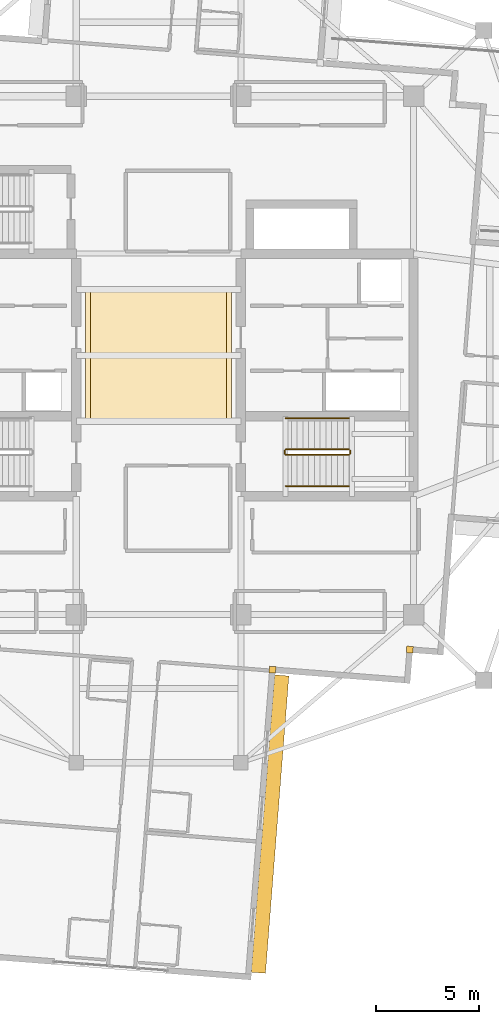
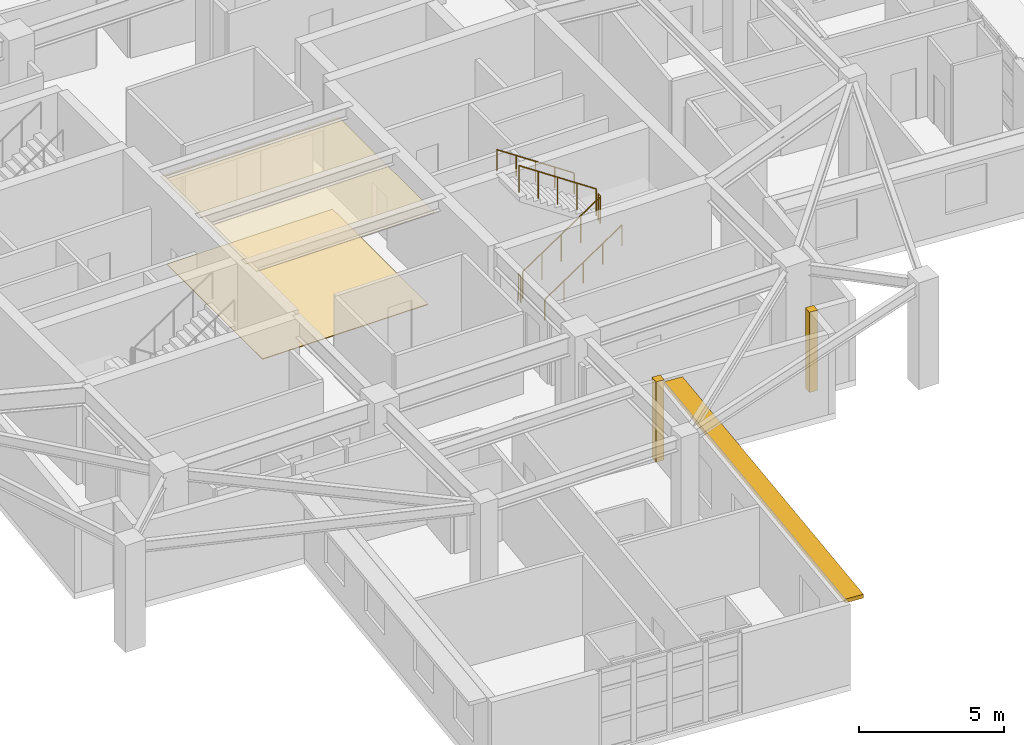
# One storey, part 20 of 23: 6 railings, 4 coverings, 1 shading device.
"""IFC4 building model written with IfcOpenShell, lengths in metres."""

from ifc_helpers import new_model, si_unit, direction, frame, origin, origin_with_axes, origin_2d, place, context, subcontext, project, spatial, rectangle, circle, extrude, material, layer, layer_set, type_object, element, save


model = new_model("IFC4")

# Units and contexts
model_context = context("Model", 3, precision=1e-05, world=origin(), true_north=direction((0.0, 1.0)))
body_context = subcontext(model_context, "Body", "Model", "MODEL_VIEW")
ifc_project = project(units=[si_unit("LENGTHUNIT", "METRE"), si_unit("AREAUNIT", "SQUARE_METRE"), si_unit("VOLUMEUNIT", "CUBIC_METRE"), si_unit("PLANEANGLEUNIT", "RADIAN"), si_unit("MASSUNIT", "GRAM", prefix="KILO")], contexts=[model_context])

# Site, building, storey
site_placement = place(None, origin())
site = spatial("IfcSite", under=ifc_project, at=site_placement, CompositionType="ELEMENT")
building_placement = place(site_placement, origin())
building = spatial("IfcBuilding", under=site, at=building_placement, Name="Qingluan Cross Belvedere", CompositionType="ELEMENT")
storey_placement = place(building_placement, frame((0.0, 0.0, 245.39990234375)))
storey = spatial("IfcBuildingStorey", under=building, at=storey_placement, Name="L61", CompositionType="ELEMENT", Elevation=245.39990234375)

# Coverings
ifc_material_1 = material(Name="Perforated gypsum acoustic ceiling board")
ifc_layer_1 = layer(ifc_material_1, 0.0400390625, Name="AcousticLobbyCeiling_40")
ifc_layer_set_1 = layer_set([ifc_layer_1], Name="Perforated gypsum acoustic ceiling board")
covering_type_1 = type_object("IfcCoveringType", Name="AcousticLobbyCeiling_40", PredefinedType="CEILING", material=ifc_layer_set_1)
covering_1_placement = place(storey_placement, frame((0.0, 0.0, 3.77197265625), z_axis=(0.0, 0.0, 1.0), x_axis=(1.0, 0.0, 0.0)))
element("IfcCovering", 1, at=covering_1_placement, inside=storey, type_object=covering_type_1, Name="Central lobby acoustic ceiling L61", PredefinedType="CEILING", context=body_context, shape_type="SweptSolid", body=[
    extrude(rectangle(XDim=7.10009765625, YDim=6.60009765625, at=origin_2d()), origin(), (0.0, 0.0, 1.0), 0.0400390625),
])
ifc_material_2 = material(Name="Precast concrete C45", Category="concrete")
ifc_layer_2 = layer(ifc_material_2, 0.1201171875, Name="ConcreteSpandrelCladding_120")
ifc_layer_set_2 = layer_set([ifc_layer_2], Name="Precast concrete C45")
covering_type_2 = type_object("IfcCoveringType", Name="ConcreteSpandrelCladding_120", PredefinedType="CLADDING", material=ifc_layer_set_2)
for number, where, z_axis, x_axis, name in (
    (2, (12.215576171875, -14.302490234375, 0.000244140625), (0.0, 0.0, 1.0), (0.996917333733, -0.078459095728, 0.0), "Corner closure L61-SE1"),
    (3, (5.5380859375, -15.281494140625, 0.000244140625), (0.0, 0.0, 1.0), (0.996917333733, -0.078459095728, 0.0), "Corner closure L61-SE2"),
):
    element("IfcCovering", number, at=place(storey_placement, frame(where, z_axis=z_axis, x_axis=x_axis)), inside=storey, type_object=covering_type_2, Name=name, PredefinedType="CLADDING", context=body_context, shape_type="SweptSolid", body=[
        extrude(rectangle(XDim=0.320068359375, YDim=0.320068359375, at=origin_2d()), origin(), (0.0, 0.0, 1.0), 3.3798828125),
    ])

# Shading device
ifc_material_3 = material(Name="Precast concrete C45", Category="concrete")
ifc_layer_3 = layer(ifc_material_3, 0.139892578125, Name="ConcreteSunshadeBand_700")
ifc_layer_set_3 = layer_set([ifc_layer_3], Name="Precast concrete C45")
shading_device_type = type_object("IfcShadingDeviceType", Name="ConcreteSunshadeBand_700", PredefinedType="USERDEFINED", material=ifc_layer_set_3)
shading_device_placement = place(storey_placement, frame((5.4189453125, -22.785400390625, 3.2001953125), z_axis=(0.0, 0.0, 1.0), x_axis=(0.078455721862, 0.996917599256, 0.0)))
element("IfcShadingDevice", 4, at=shading_device_placement, inside=storey, type_object=shading_device_type, Name="Concrete SUNSHADE L61-SB", ObjectType="SUNSHADE", PredefinedType="USERDEFINED", context=body_context, shape_type="SweptSolid", body=[
    extrude(rectangle(XDim=14.5, YDim=0.699951171875, at=origin_2d()), origin(), (0.0, 0.0, 1.0), 0.159912109375),
])

# Covering
ifc_material_4 = material(Name="Honed Hubei grey granite stone flooring", Category="masonry")
ifc_layer_4 = layer(ifc_material_4, 0.030029296875, Name="GraniteLobbyFlooring_30")
ifc_layer_set_4 = layer_set([ifc_layer_4], Name="Honed Hubei grey granite stone flooring")
covering_type_3 = type_object("IfcCoveringType", Name="GraniteLobbyFlooring_30", PredefinedType="FLOORING", material=ifc_layer_set_4)
covering_2_placement = place(storey_placement, origin_with_axes())
element("IfcCovering", 5, at=covering_2_placement, inside=storey, type_object=covering_type_3, Name="Central lobby granite flooring L61", PredefinedType="FLOORING", context=body_context, shape_type="SweptSolid", body=[
    extrude(rectangle(XDim=6.60009765625, YDim=6.60009765625, at=origin_2d()), origin(), (0.0, 0.0, 1.0), 0.030029296875),
])

# Railings
ifc_material_5 = material(Name="Brushed stainless steel tubular handrail", Category="steel")
railing_type_1 = type_object("IfcRailingType", Name="StairPitchHandrail_900", PredefinedType="HANDRAIL", material=ifc_material_5)
railing_1_placement = place(storey_placement, frame((6.179931640625, -6.35009765625, 0.1875)))
element("IfcRailing", 6, at=railing_1_placement, inside=storey, type_object=railing_type_1, Name="L61 ST2 stair handrail 1", PredefinedType="HANDRAIL", context=body_context, shape_type="SweptSolid", body=[
    extrude(circle(Radius=0.02392578125, at=origin_2d()), frame((0.0, 0.0, 0.8759765625), z_axis=(0.830913701846, 0.0, 0.55640131208), x_axis=(0.0, 1.0, 0.0)), (0.0, 0.0, 1.0), 3.706787109375),
    extrude(circle(Radius=0.02099609375, at=origin_2d()), origin(), (0.0, 0.0, 1.0), 0.851806640625),
    extrude(circle(Radius=0.02099609375, at=origin_2d()), frame((0.77001953125, 0.0, 0.515625)), (0.0, 0.0, 1.0), 0.851806640625),
    extrude(circle(Radius=0.02099609375, at=origin_2d()), frame((1.5400390625, 0.0, 1.03125)), (0.0, 0.0, 1.0), 0.851806640625),
    extrude(circle(Radius=0.02099609375, at=origin_2d()), frame((2.31005859375, 0.0, 1.546875)), (0.0, 0.0, 1.0), 0.851806640625),
    extrude(circle(Radius=0.02099609375, at=origin_2d()), frame((3.080078125, 0.0, 2.0625)), (0.0, 0.0, 1.0), 0.851806640625),
])
railing_2_placement = place(storey_placement, frame((9.260009765625, -3.050048828125, 2.4375)))
element("IfcRailing", 7, at=railing_2_placement, inside=storey, type_object=railing_type_1, Name="L61 ST2 stair handrail 2", PredefinedType="HANDRAIL", context=body_context, shape_type="SweptSolid", body=[
    extrude(circle(Radius=0.02392578125, at=origin_2d()), frame((0.0, 0.0, 0.8759765625), z_axis=(-0.830913701846, 0.0, 0.55640131208), x_axis=(0.0, -1.0, 0.0)), (0.0, 0.0, 1.0), 3.706787109375),
    extrude(circle(Radius=0.02099609375, at=origin_2d()), origin(), (0.0, 0.0, 1.0), 0.851806640625),
    extrude(circle(Radius=0.02099609375, at=origin_2d()), frame((-0.77001953125, 0.0, 0.515625)), (0.0, 0.0, 1.0), 0.851806640625),
    extrude(circle(Radius=0.02099609375, at=origin_2d()), frame((-1.5400390625, 0.0, 1.03125)), (0.0, 0.0, 1.0), 0.851806640625),
    extrude(circle(Radius=0.02099609375, at=origin_2d()), frame((-2.31005859375, 0.0, 1.546875)), (0.0, 0.0, 1.0), 0.851806640625),
    extrude(circle(Radius=0.02099609375, at=origin_2d()), frame((-3.080078125, 0.0, 2.0625)), (0.0, 0.0, 1.0), 0.851806640625),
])
ifc_material_6 = material(Name="Painted steel stair well guard", Category="steel")
railing_type_2 = type_object("IfcRailingType", Name="StairWellGuard_1150", PredefinedType="BALUSTRADE", material=ifc_material_6)
railing_3_placement = place(storey_placement, frame((6.179931640625, -4.830078125, 0.1875)))
element("IfcRailing", 8, at=railing_3_placement, inside=storey, type_object=railing_type_2, Name="L61 ST2 stair guard 1", PredefinedType="BALUSTRADE", context=body_context, shape_type="SweptSolid", body=[
    extrude(circle(Radius=0.02392578125, at=origin_2d()), frame((0.0, 0.0, 1.1259765625), z_axis=(0.830913701846, 0.0, 0.55640131208), x_axis=(0.0, 1.0, 0.0)), (0.0, 0.0, 1.0), 3.706787109375),
    extrude(circle(Radius=0.02099609375, at=origin_2d()), origin(), (0.0, 0.0, 1.0), 1.101806640625),
    extrude(circle(Radius=0.02099609375, at=origin_2d()), frame((0.77001953125, 0.0, 0.515625)), (0.0, 0.0, 1.0), 1.101806640625),
    extrude(circle(Radius=0.02099609375, at=origin_2d()), frame((1.5400390625, 0.0, 1.03125)), (0.0, 0.0, 1.0), 1.101806640625),
    extrude(circle(Radius=0.02099609375, at=origin_2d()), frame((2.31005859375, 0.0, 1.546875)), (0.0, 0.0, 1.0), 1.101806640625),
    extrude(circle(Radius=0.02099609375, at=origin_2d()), frame((3.080078125, 0.0, 2.0625)), (0.0, 0.0, 1.0), 1.101806640625),
])
railing_4_placement = place(storey_placement, frame((9.31005859375, -4.780029296875, 2.25)))
element("IfcRailing", 9, at=railing_4_placement, inside=storey, type_object=railing_type_2, Name="L61 ST2 stair guard 2", PredefinedType="BALUSTRADE", context=body_context, shape_type="SweptSolid", body=[
    extrude(circle(Radius=0.02392578125, at=origin_2d()), frame((0.0, 0.0, 1.1259765625), z_axis=(0.0, 1.0, 0.0), x_axis=(-1.0, 0.0, 0.0)), (0.0, 0.0, 1.0), 0.159912109375),
    extrude(circle(Radius=0.02099609375, at=origin_2d()), origin(), (0.0, 0.0, 1.0), 1.101806640625),
    extrude(circle(Radius=0.02099609375, at=origin_2d()), frame((0.0, 0.159912109375, 0.0)), (0.0, 0.0, 1.0), 1.101806640625),
])
railing_5_placement = place(storey_placement, frame((9.260009765625, -4.570068359375, 2.4375)))
element("IfcRailing", 10, at=railing_5_placement, inside=storey, type_object=railing_type_2, Name="L61 ST2 stair guard 3", PredefinedType="BALUSTRADE", context=body_context, shape_type="SweptSolid", body=[
    extrude(circle(Radius=0.02392578125, at=origin_2d()), frame((0.0, 0.0, 1.1259765625), z_axis=(-0.830913701846, 0.0, 0.55640131208), x_axis=(0.0, -1.0, 0.0)), (0.0, 0.0, 1.0), 3.706787109375),
    extrude(circle(Radius=0.02099609375, at=origin_2d()), origin(), (0.0, 0.0, 1.0), 1.101806640625),
    extrude(circle(Radius=0.02099609375, at=origin_2d()), frame((-0.77001953125, 0.0, 0.515625)), (0.0, 0.0, 1.0), 1.101806640625),
    extrude(circle(Radius=0.02099609375, at=origin_2d()), frame((-1.5400390625, 0.0, 1.03125)), (0.0, 0.0, 1.0), 1.101806640625),
    extrude(circle(Radius=0.02099609375, at=origin_2d()), frame((-2.31005859375, 0.0, 1.546875)), (0.0, 0.0, 1.0), 1.101806640625),
    extrude(circle(Radius=0.02099609375, at=origin_2d()), frame((-3.080078125, 0.0, 2.0625)), (0.0, 0.0, 1.0), 1.101806640625),
])
railing_6_placement = place(storey_placement, frame((6.1298828125, -4.780029296875, 0.0)))
element("IfcRailing", 11, at=railing_6_placement, inside=storey, type_object=railing_type_2, Name="L61 ST2 stair guard 4", PredefinedType="BALUSTRADE", context=body_context, shape_type="SweptSolid", body=[
    extrude(circle(Radius=0.02392578125, at=origin_2d()), frame((0.0, 0.0, 1.1259765625), z_axis=(0.0, 1.0, 0.0), x_axis=(-1.0, 0.0, 0.0)), (0.0, 0.0, 1.0), 0.159912109375),
    extrude(circle(Radius=0.02099609375, at=origin_2d()), origin(), (0.0, 0.0, 1.0), 1.101806640625),
    extrude(circle(Radius=0.02099609375, at=origin_2d()), frame((0.0, 0.159912109375, 0.0)), (0.0, 0.0, 1.0), 1.101806640625),
])

save(model, "model.ifc")
